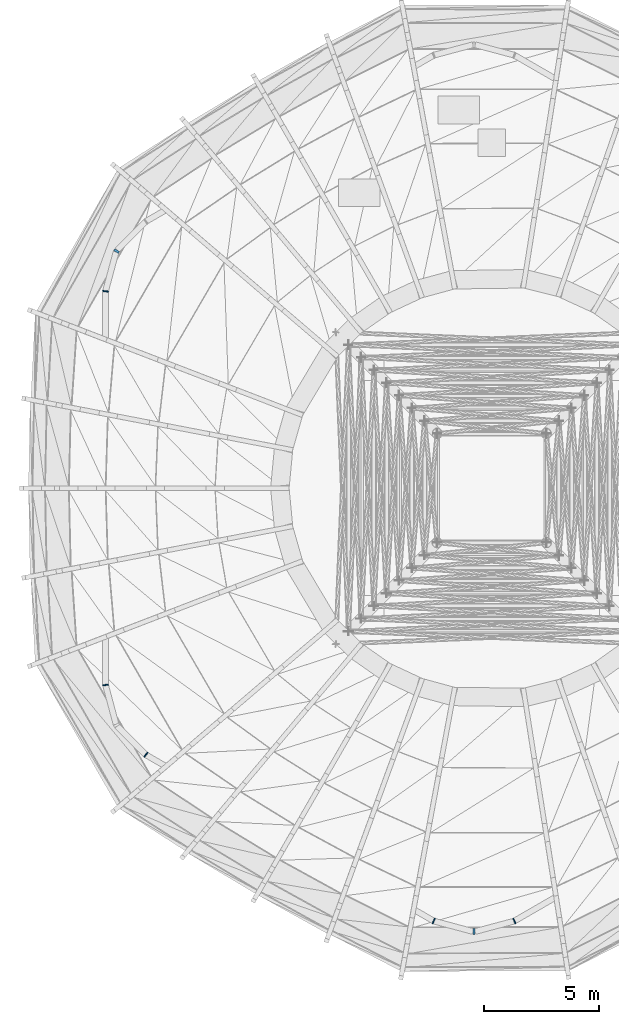
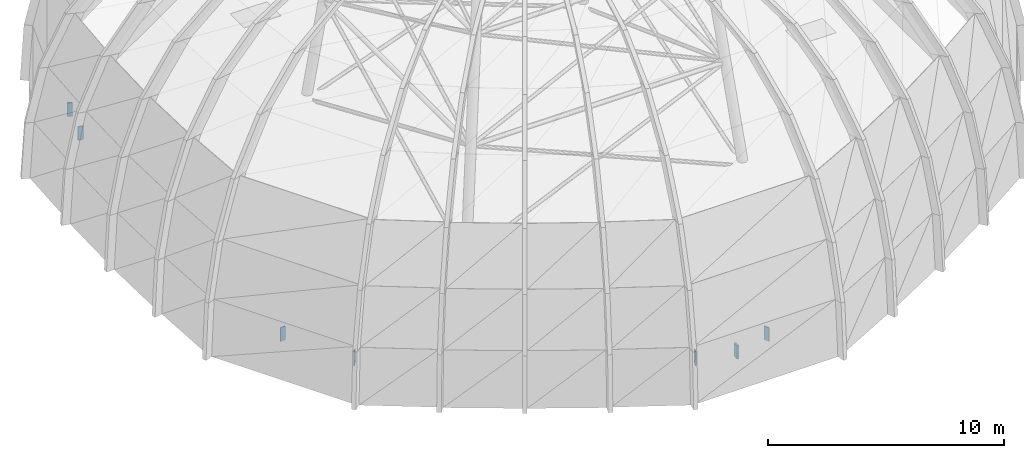
# One storey, part 4 of 27: 7 walls.
"""IFC4 building model written with IfcOpenShell, lengths in metres."""

from ifc_helpers import new_model, si_unit, direction, frame, frame_2d, origin, place, context, subcontext, project, spatial, rectangle, extrude, material, layer, layer_set, type_object, element, save


model = new_model("IFC4")

# Units and contexts
model_context = context("Model", 3, precision=1e-05, world=origin(), true_north=direction((0.0, 1.0)))
body_context = subcontext(model_context, "Body", "Model", "MODEL_VIEW")
ifc_project = project(units=[si_unit("LENGTHUNIT", "METRE"), si_unit("AREAUNIT", "SQUARE_METRE"), si_unit("VOLUMEUNIT", "CUBIC_METRE"), si_unit("PLANEANGLEUNIT", "RADIAN"), si_unit("MASSUNIT", "GRAM", prefix="KILO")], contexts=[model_context])

# Site, building, storey
site_placement = place(None, origin())
site = spatial("IfcSite", under=ifc_project, at=site_placement, CompositionType="ELEMENT")
building_placement = place(site_placement, origin())
building = spatial("IfcBuilding", under=site, at=building_placement, Name="Ayvan Gate Tower", CompositionType="ELEMENT")
storey_placement = place(building_placement, frame((0.0, 0.0, 267.699951171875)))
storey = spatial("IfcBuildingStorey", under=building, at=storey_placement, Name="Roof", CompositionType="ELEMENT", Elevation=267.699951171875)

# Walls
ifc_material = material(Name="Pale metal cladding on insulated wall")
ifc_layer = layer(ifc_material, 0.25)
ifc_layer_set = layer_set([ifc_layer], Name="Pale metal cladding on insulated wall")
wall_type = type_object("IfcWallType", Name="Parapet wall 250", PredefinedType="PARAPET", material=ifc_layer_set)
wall_1_placement = place(storey_placement, frame((-16.264892578125, 10.333251953125, 0.300048828125), z_axis=(0.0, 0.0, 1.0), x_axis=(-0.499941024108, -0.866059450854, 0.0)))
element("IfcWall", 1, at=wall_1_placement, inside=storey, type_object=wall_type, Name="EW:parapet:08", PredefinedType="PARAPET", context=body_context, shape_type="SweptSolid", body=[
    extrude(rectangle(XDim=0.0966796875, YDim=0.25, at=frame_2d((0.04833984375, 0.0))), origin(), (0.0, 0.0, 1.0), 0.699951171875),
])
for number, where, z_axis, x_axis, name in (
    (2, (-16.76318359375, 8.57080078125, 0.300048828125), (0.0, 0.0, 1.0), (-0.129552199427, -0.991572603304, 0.0), "EW:parapet:10"),
    (3, (-16.76953125, -8.522216796875, 0.300048828125), (0.0, 0.0, 1.0), (0.129552199427, -0.991572603304, 0.0), "EW:parapet:12"),
):
    element("IfcWall", number, at=place(storey_placement, frame(where, z_axis=z_axis, x_axis=x_axis)), inside=storey, type_object=wall_type, Name=name, PredefinedType="PARAPET", context=body_context, shape_type="SweptSolid", body=[
        extrude(rectangle(XDim=0.049072265625, YDim=0.25, at=frame_2d((0.0244140625, 0.0))), origin(), (0.0, 0.0, 1.0), 0.699951171875),
    ])
for number, where, z_axis, x_axis, name in (
    (4, (-15.0361328125, -11.562255859375, 0.300048828125), (0.0, 0.0, 1.0), (0.795776260466, -0.605590739096, 0.0), "EW:parapet:16"),
    (5, (-2.540283203125, -18.783935546875, 0.300048828125), (0.0, 0.0, 1.0), (0.923224500114, -0.384261008156, 0.0), "EW:parapet:18"),
):
    element("IfcWall", number, at=place(storey_placement, frame(where, z_axis=z_axis, x_axis=x_axis)), inside=storey, type_object=wall_type, Name=name, PredefinedType="PARAPET", context=body_context, shape_type="SweptSolid", body=[
        extrude(rectangle(XDim=0.048828125, YDim=0.25, at=frame_2d((0.0244140625, 0.0))), origin(), (0.0, 0.0, 1.0), 0.699951171875),
    ])
wall_2_placement = place(storey_placement, frame((-0.816162109375, -19.25244140625, 0.300048828125), z_axis=(0.0, 0.0, 1.0), x_axis=(1.0, 0.0, 0.0)))
element("IfcWall", 6, at=wall_2_placement, inside=storey, type_object=wall_type, Name="EW:parapet:20", PredefinedType="PARAPET", context=body_context, shape_type="SweptSolid", body=[
    extrude(rectangle(XDim=0.096435546875, YDim=0.25, at=frame_2d((0.04833984375, 0.0))), origin(), (0.0, 0.0, 1.0), 0.699951171875),
])
wall_3_placement = place(storey_placement, frame((0.958984375, -18.802734375, 0.300048828125), z_axis=(0.0, 0.0, 1.0), x_axis=(0.923224500114, 0.384261008156, 0.0)))
element("IfcWall", 7, at=wall_3_placement, inside=storey, type_object=wall_type, Name="EW:parapet:22", PredefinedType="PARAPET", context=body_context, shape_type="SweptSolid", body=[
    extrude(rectangle(XDim=0.048828125, YDim=0.25, at=frame_2d((0.0244140625, 0.0))), origin(), (0.0, 0.0, 1.0), 0.699951171875),
])

save(model, "model.ifc")
